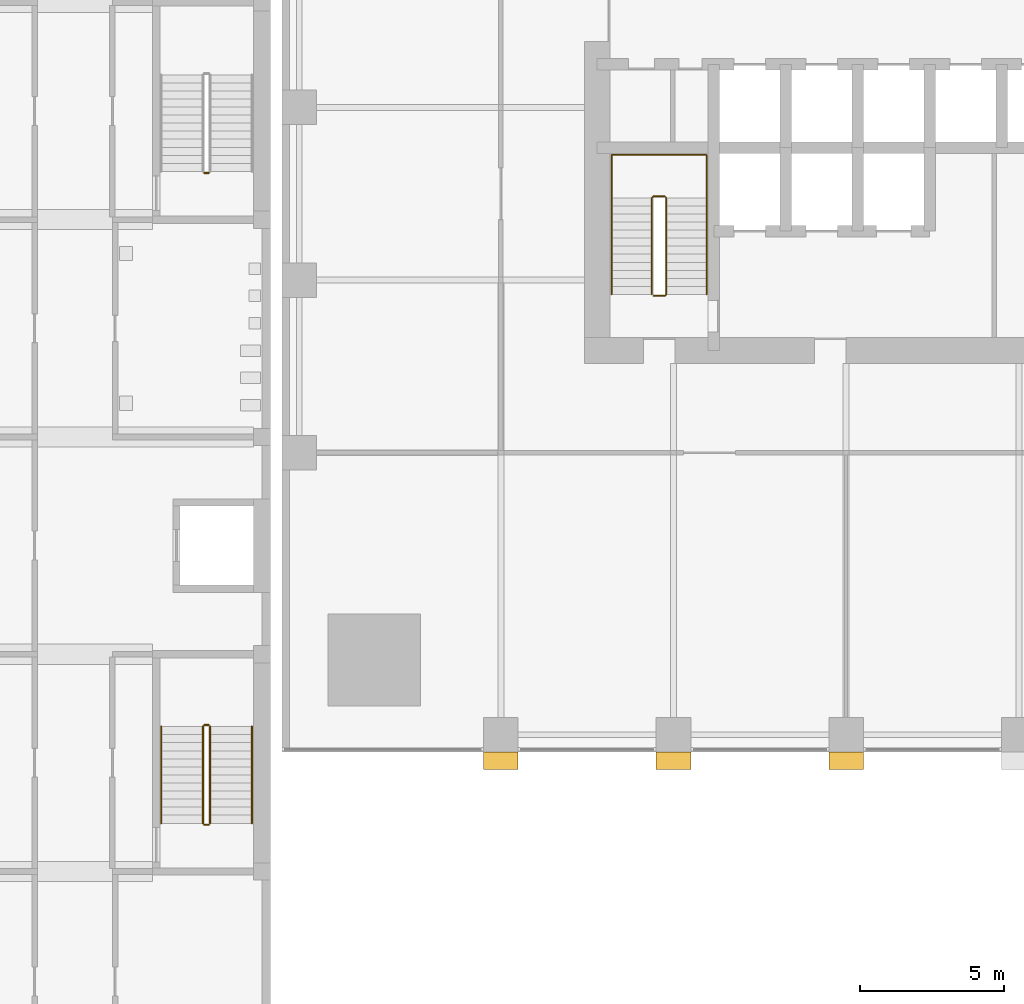
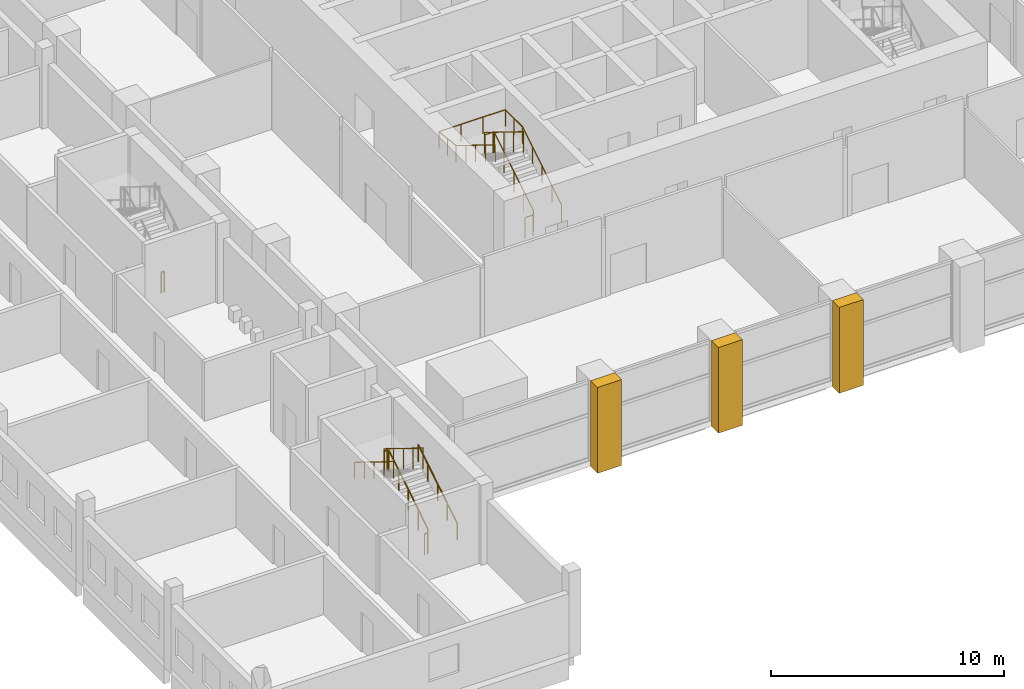
# One storey, part 20 of 25: 9 railings, 3 coverings.
"""IFC4 building model written with IfcOpenShell, lengths in metres."""

from ifc_helpers import new_model, si_unit, direction, frame, origin, origin_2d, place, context, subcontext, project, spatial, polyline, circle, outline, extrude, material, layer, layer_set, type_object, element, save


model = new_model("IFC4")

# Units and contexts
model_context = context("Model", 3, precision=1e-05, world=origin(), true_north=direction((0.0, 1.0)))
body_context = subcontext(model_context, "Body", "Model", "MODEL_VIEW")
ifc_project = project(units=[si_unit("LENGTHUNIT", "METRE"), si_unit("AREAUNIT", "SQUARE_METRE"), si_unit("VOLUMEUNIT", "CUBIC_METRE"), si_unit("PLANEANGLEUNIT", "RADIAN"), si_unit("MASSUNIT", "GRAM", prefix="KILO")], contexts=[model_context])

# Site, building, storey
site_placement = place(None, origin())
site = spatial("IfcSite", under=ifc_project, at=site_placement, CompositionType="ELEMENT")
building_placement = place(site_placement, origin())
building = spatial("IfcBuilding", under=site, at=building_placement, Name="Amberfall Residences", CompositionType="ELEMENT")
storey_placement = place(building_placement, frame((0.0, 0.0, 10.0)))
storey = spatial("IfcBuildingStorey", under=building, at=storey_placement, Name="L02", CompositionType="ELEMENT", Elevation=10.0)

# Coverings
ifc_material_1 = material(Name="Pale stone cladding on insulated backing", Category="masonry")
ifc_layer = layer(ifc_material_1, 1.199951171875)
ifc_layer_set = layer_set([ifc_layer], Name="Podium stone pier 1200 x 600")
covering_type = type_object("IfcCoveringType", Name="Podium stone pier 1200 x 600", PredefinedType="CLADDING", material=ifc_layer_set)
covering_1_placement = place(storey_placement, frame((0.0, 0.0, -0.300048828125)))
element("IfcCovering", 1, at=covering_1_placement, inside=storey, type_object=covering_type, Name="Podium pier L02 S1", PredefinedType="CLADDING", context=body_context, shape_type="SweptSolid", body=[
    extrude(outline(polyline([(59.0, 20.0), (60.199951171875, 20.0), (60.199951171875, 19.39990234375), (59.0, 19.39990234375), (59.0, 20.0)])), origin(), (0.0, 0.0, 1.0), 4.5),
])
covering_2_placement = place(storey_placement, frame((0.0, 0.0, -0.300048828125)))
element("IfcCovering", 2, at=covering_2_placement, inside=storey, type_object=covering_type, Name="Podium pier L02 S2", PredefinedType="CLADDING", context=body_context, shape_type="SweptSolid", body=[
    extrude(outline(polyline([(65.0, 20.0), (66.199951171875, 20.0), (66.199951171875, 19.39990234375), (65.0, 19.39990234375), (65.0, 20.0)])), origin(), (0.0, 0.0, 1.0), 4.5),
])
covering_3_placement = place(storey_placement, frame((0.0, 0.0, -0.300048828125)))
element("IfcCovering", 3, at=covering_3_placement, inside=storey, type_object=covering_type, Name="Podium pier L02 S3", PredefinedType="CLADDING", context=body_context, shape_type="SweptSolid", body=[
    extrude(outline(polyline([(71.0, 20.0), (72.199951171875, 20.0), (72.199951171875, 19.39990234375), (71.0, 19.39990234375), (71.0, 20.0)])), origin(), (0.0, 0.0, 1.0), 4.5),
])

# Railings
ifc_material_2 = material(Name="Stainless steel", Category="steel")
railing_type_1 = type_object("IfcRailingType", Name="School stair guard 1100", PredefinedType="GUARDRAIL", material=ifc_material_2)
railing_1_placement = place(storey_placement, frame((49.5, 17.52490234375, 0.173095703125)))
element("IfcRailing", 4, at=railing_1_placement, inside=storey, type_object=railing_type_1, Name="L02 SS1 stair guard 1", PredefinedType="GUARDRAIL", context=body_context, shape_type="SweptSolid", body=[
    extrude(circle(Radius=0.02392578125, at=origin_2d()), frame((0.0, 0.0, 1.076171875), z_axis=(0.0, 0.850623216509, 0.525775754039), x_axis=(-1.0, 0.0, 0.0)), (0.0, 0.0, 1.0), 3.9501953125),
    extrude(circle(Radius=0.02099609375, at=origin_2d()), origin(), (0.0, 0.0, 1.0), 1.052001953125),
    extrude(circle(Radius=0.02099609375, at=origin_2d()), frame((0.0, 0.840087890625, 0.519287109375)), (0.0, 0.0, 1.0), 1.052001953125),
    extrude(circle(Radius=0.02099609375, at=origin_2d()), frame((0.0, 1.68017578125, 1.03857421875)), (0.0, 0.0, 1.0), 1.052001953125),
    extrude(circle(Radius=0.02099609375, at=origin_2d()), frame((0.0, 2.52001953125, 1.5576171875)), (0.0, 0.0, 1.0), 1.052001953125),
    extrude(circle(Radius=0.02099609375, at=origin_2d()), frame((0.0, 3.360107421875, 2.076904296875)), (0.0, 0.0, 1.0), 1.052001953125),
])
railing_2_placement = place(storey_placement, frame((49.449951171875, 20.93505859375, 2.25)))
element("IfcRailing", 5, at=railing_2_placement, inside=storey, type_object=railing_type_1, Name="L02 SS1 stair guard 2", PredefinedType="GUARDRAIL", context=body_context, shape_type="SweptSolid", body=[
    extrude(circle(Radius=0.02392578125, at=origin_2d()), frame((0.0, 0.0, 1.076171875), z_axis=(-1.0, 0.0, 0.0), x_axis=(0.0, -1.0, 0.0)), (0.0, 0.0, 1.0), 0.14990234375),
    extrude(circle(Radius=0.02099609375, at=origin_2d()), origin(), (0.0, 0.0, 1.0), 1.052001953125),
    extrude(circle(Radius=0.02099609375, at=origin_2d()), frame((-0.14990234375, 0.0, 0.0)), (0.0, 0.0, 1.0), 1.052001953125),
])
railing_3_placement = place(storey_placement, frame((49.25, 20.885009765625, 2.423095703125)))
element("IfcRailing", 6, at=railing_3_placement, inside=storey, type_object=railing_type_1, Name="L02 SS1 stair guard 3", PredefinedType="GUARDRAIL", context=body_context, shape_type="SweptSolid", body=[
    extrude(circle(Radius=0.02392578125, at=origin_2d()), frame((0.0, 0.0, 1.076171875), z_axis=(0.0, -0.850623216509, 0.525775754039), x_axis=(1.0, 0.0, 0.0)), (0.0, 0.0, 1.0), 3.9501953125),
    extrude(circle(Radius=0.02099609375, at=origin_2d()), origin(), (0.0, 0.0, 1.0), 1.052001953125),
    extrude(circle(Radius=0.02099609375, at=origin_2d()), frame((0.0, -0.840087890625, 0.519287109375)), (0.0, 0.0, 1.0), 1.052001953125),
    extrude(circle(Radius=0.02099609375, at=origin_2d()), frame((0.0, -1.68017578125, 1.03857421875)), (0.0, 0.0, 1.0), 1.052001953125),
    extrude(circle(Radius=0.02099609375, at=origin_2d()), frame((0.0, -2.52001953125, 1.5576171875)), (0.0, 0.0, 1.0), 1.052001953125),
    extrude(circle(Radius=0.02099609375, at=origin_2d()), frame((0.0, -3.360107421875, 2.076904296875)), (0.0, 0.0, 1.0), 1.052001953125),
])
for number, where, name in (
    (7, (49.449951171875, 17.47509765625, 0.0), "L02 SS1 stair guard 4"),
    (8, (49.449951171875, 40.125, 0.0), "L02 SS2 stair guard 4"),
):
    element("IfcRailing", number, at=place(storey_placement, frame(where)), inside=storey, type_object=railing_type_1, Name=name, PredefinedType="GUARDRAIL", context=body_context, shape_type="SweptSolid", body=[
        extrude(circle(Radius=0.02392578125, at=origin_2d()), frame((0.0, 0.0, 1.076171875), z_axis=(-1.0, 0.0, 0.0), x_axis=(0.0, -1.0, 0.0)), (0.0, 0.0, 1.0), 0.14990234375),
        extrude(circle(Radius=0.02099609375, at=origin_2d()), origin(), (0.0, 0.0, 1.0), 1.052001953125),
        extrude(circle(Radius=0.02099609375, at=origin_2d()), frame((-0.14990234375, 0.0, 0.0)), (0.0, 0.0, 1.0), 1.052001953125),
    ])
railing_type_2 = type_object("IfcRailingType", Name="School stair handrail", PredefinedType="HANDRAIL", material=ifc_material_2)
railing_4_placement = place(storey_placement, frame((50.949951171875, 17.52490234375, 0.173095703125)))
element("IfcRailing", 9, at=railing_4_placement, inside=storey, type_object=railing_type_2, Name="L02 SS1 stair handrail 1", PredefinedType="HANDRAIL", context=body_context, shape_type="SweptSolid", body=[
    extrude(circle(Radius=0.02392578125, at=origin_2d()), frame((0.0, 0.0, 0.8759765625), z_axis=(0.0, 0.850623216509, 0.525775754039), x_axis=(-1.0, 0.0, 0.0)), (0.0, 0.0, 1.0), 3.9501953125),
    extrude(circle(Radius=0.02099609375, at=origin_2d()), origin(), (0.0, 0.0, 1.0), 0.851806640625),
    extrude(circle(Radius=0.02099609375, at=origin_2d()), frame((0.0, 0.840087890625, 0.519287109375)), (0.0, 0.0, 1.0), 0.851806640625),
    extrude(circle(Radius=0.02099609375, at=origin_2d()), frame((0.0, 1.68017578125, 1.03857421875)), (0.0, 0.0, 1.0), 0.851806640625),
    extrude(circle(Radius=0.02099609375, at=origin_2d()), frame((0.0, 2.52001953125, 1.5576171875)), (0.0, 0.0, 1.0), 0.851806640625),
    extrude(circle(Radius=0.02099609375, at=origin_2d()), frame((0.0, 3.360107421875, 2.076904296875)), (0.0, 0.0, 1.0), 0.851806640625),
])
railing_5_placement = place(storey_placement, frame((47.800048828125, 20.885009765625, 2.423095703125)))
element("IfcRailing", 10, at=railing_5_placement, inside=storey, type_object=railing_type_2, Name="L02 SS1 stair handrail 2", PredefinedType="HANDRAIL", context=body_context, shape_type="SweptSolid", body=[
    extrude(circle(Radius=0.02392578125, at=origin_2d()), frame((0.0, 0.0, 0.8759765625), z_axis=(0.0, -0.850623216509, 0.525775754039), x_axis=(1.0, 0.0, 0.0)), (0.0, 0.0, 1.0), 3.9501953125),
    extrude(circle(Radius=0.02099609375, at=origin_2d()), origin(), (0.0, 0.0, 1.0), 0.851806640625),
    extrude(circle(Radius=0.02099609375, at=origin_2d()), frame((0.0, -0.840087890625, 0.519287109375)), (0.0, 0.0, 1.0), 0.851806640625),
    extrude(circle(Radius=0.02099609375, at=origin_2d()), frame((0.0, -1.68017578125, 1.03857421875)), (0.0, 0.0, 1.0), 0.851806640625),
    extrude(circle(Radius=0.02099609375, at=origin_2d()), frame((0.0, -2.52001953125, 1.5576171875)), (0.0, 0.0, 1.0), 0.851806640625),
    extrude(circle(Radius=0.02099609375, at=origin_2d()), frame((0.0, -3.360107421875, 2.076904296875)), (0.0, 0.0, 1.0), 0.851806640625),
])
ifc_material_3 = material(Name="Stainless steel 316", Category="steel")
railing_type_3 = type_object("IfcRailingType", Name="Stair guard 1100", PredefinedType="GUARDRAIL", material=ifc_material_3)
railing_6_placement = place(storey_placement, frame((64.89990234375, 35.85009765625, 0.0)))
element("IfcRailing", 11, at=railing_6_placement, inside=storey, type_object=railing_type_3, Name="L02 stair 1 guard", PredefinedType="GUARDRAIL", context=body_context, shape_type="SweptSolid", body=[
    extrude(circle(Radius=0.02392578125, at=origin_2d()), frame((0.0, 0.0, 1.076171875), z_axis=(1.0, 0.0, 0.0), x_axis=(0.0, 1.0, 0.0)), (0.0, 0.0, 1.0), 0.400146484375),
    extrude(circle(Radius=0.02392578125, at=origin_2d()), frame((0.400146484375, 0.0, 1.076171875), z_axis=(0.267723051232, 0.266417085129, 0.925929967433), x_axis=(-0.705375805398, 0.708833529934, 0.0)), (0.0, 0.0, 1.0), 0.18701171875),
    extrude(circle(Radius=0.02392578125, at=origin_2d()), frame((0.4501953125, 0.0498046875, 1.2490234375), z_axis=(0.0, 0.850623216509, 0.525775754039), x_axis=(-1.0, 0.0, 0.0)), (0.0, 0.0, 1.0), 3.9501953125),
    extrude(circle(Radius=0.02392578125, at=origin_2d()), frame((0.4501953125, 3.409912109375, 3.326171875), z_axis=(-0.707106781187, 0.707106781187, 0.0), x_axis=(-0.707106781187, -0.707106781187, 0.0)), (0.0, 0.0, 1.0), 0.07080078125),
    extrude(circle(Radius=0.02392578125, at=origin_2d()), frame((0.400146484375, 3.4599609375, 3.326171875), z_axis=(-1.0, 0.0, 0.0), x_axis=(0.0, -1.0, 0.0)), (0.0, 0.0, 1.0), 0.400146484375),
    extrude(circle(Radius=0.02392578125, at=origin_2d()), frame((0.0, 3.4599609375, 3.326171875), z_axis=(-0.266417085129, -0.267723051232, 0.925929967433), x_axis=(0.708833529934, -0.705375805398, 0.0)), (0.0, 0.0, 1.0), 0.18701171875),
    extrude(circle(Radius=0.02392578125, at=origin_2d()), frame((-0.0498046875, 3.409912109375, 3.4990234375), z_axis=(0.0, -0.850623216509, 0.525775754039), x_axis=(1.0, 0.0, 0.0)), (0.0, 0.0, 1.0), 3.9501953125),
    extrude(circle(Radius=0.02099609375, at=origin_2d()), origin(), (0.0, 0.0, 1.0), 1.052001953125),
    extrude(circle(Radius=0.02099609375, at=origin_2d()), frame((0.400146484375, 0.0, 0.0)), (0.0, 0.0, 1.0), 1.052001953125),
    extrude(circle(Radius=0.02099609375, at=origin_2d()), frame((0.4501953125, 0.0498046875, 0.173095703125)), (0.0, 0.0, 1.0), 1.052001953125),
    extrude(circle(Radius=0.02099609375, at=origin_2d()), frame((0.4501953125, 0.889892578125, 0.6923828125)), (0.0, 0.0, 1.0), 1.052001953125),
    extrude(circle(Radius=0.02099609375, at=origin_2d()), frame((0.4501953125, 1.72998046875, 1.21142578125)), (0.0, 0.0, 1.0), 1.052001953125),
    extrude(circle(Radius=0.02099609375, at=origin_2d()), frame((0.4501953125, 2.56982421875, 1.730712890625)), (0.0, 0.0, 1.0), 1.052001953125),
    extrude(circle(Radius=0.02099609375, at=origin_2d()), frame((0.4501953125, 3.409912109375, 2.25)), (0.0, 0.0, 1.0), 1.052001953125),
    extrude(circle(Radius=0.02099609375, at=origin_2d()), frame((0.400146484375, 3.4599609375, 2.25)), (0.0, 0.0, 1.0), 1.052001953125),
    extrude(circle(Radius=0.02099609375, at=origin_2d()), frame((0.0, 3.4599609375, 2.25)), (0.0, 0.0, 1.0), 1.052001953125),
    extrude(circle(Radius=0.02099609375, at=origin_2d()), frame((-0.0498046875, 3.409912109375, 2.423095703125)), (0.0, 0.0, 1.0), 1.052001953125),
    extrude(circle(Radius=0.02099609375, at=origin_2d()), frame((-0.0498046875, 2.56982421875, 2.9423828125)), (0.0, 0.0, 1.0), 1.052001953125),
    extrude(circle(Radius=0.02099609375, at=origin_2d()), frame((-0.0498046875, 1.72998046875, 3.46142578125)), (0.0, 0.0, 1.0), 1.052001953125),
    extrude(circle(Radius=0.02099609375, at=origin_2d()), frame((-0.0498046875, 0.889892578125, 3.980712890625)), (0.0, 0.0, 1.0), 1.052001953125),
    extrude(circle(Radius=0.02099609375, at=origin_2d()), frame((-0.0498046875, 0.0498046875, 4.5)), (0.0, 0.0, 1.0), 1.052001953125),
])
railing_type_4 = type_object("IfcRailingType", Name="Stair handrail 900", PredefinedType="HANDRAIL", material=ifc_material_3)
railing_7_placement = place(storey_placement, frame((66.75, 35.89990234375, 0.173095703125)))
element("IfcRailing", 12, at=railing_7_placement, inside=storey, type_object=railing_type_4, Name="L02 stair 1 handrail", PredefinedType="HANDRAIL", context=body_context, shape_type="SweptSolid", body=[
    extrude(circle(Radius=0.02392578125, at=origin_2d()), frame((0.0, 0.0, 0.8759765625), z_axis=(0.0, 0.850623216509, 0.525775754039), x_axis=(-1.0, 0.0, 0.0)), (0.0, 0.0, 1.0), 3.9501953125),
    extrude(circle(Radius=0.02392578125, at=origin_2d()), frame((0.0, 3.360107421875, 2.95263671875), z_axis=(0.0, 1.0, 0.0), x_axis=(-1.0, 0.0, 0.0)), (0.0, 0.0, 1.0), 1.489990234375),
    extrude(circle(Radius=0.02392578125, at=origin_2d()), frame((0.0, 4.85009765625, 2.95263671875), z_axis=(-1.0, 0.0, 0.0), x_axis=(0.0, -1.0, 0.0)), (0.0, 0.0, 1.0), 3.300048828125),
    extrude(circle(Radius=0.02392578125, at=origin_2d()), frame((-3.300048828125, 4.85009765625, 2.95263671875), z_axis=(0.0, -0.993319533971, 0.115396288642), x_axis=(1.0, 0.0, 0.0)), (0.0, 0.0, 1.0), 1.5),
    extrude(circle(Radius=0.02392578125, at=origin_2d()), frame((-3.300048828125, 3.360107421875, 3.1259765625), z_axis=(0.0, -0.850623216509, 0.525775754039), x_axis=(1.0, 0.0, 0.0)), (0.0, 0.0, 1.0), 3.9501953125),
    extrude(circle(Radius=0.02099609375, at=origin_2d()), origin(), (0.0, 0.0, 1.0), 0.851806640625),
    extrude(circle(Radius=0.02099609375, at=origin_2d()), frame((0.0, 0.840087890625, 0.519287109375)), (0.0, 0.0, 1.0), 0.851806640625),
    extrude(circle(Radius=0.02099609375, at=origin_2d()), frame((0.0, 1.68017578125, 1.03857421875)), (0.0, 0.0, 1.0), 0.851806640625),
    extrude(circle(Radius=0.02099609375, at=origin_2d()), frame((0.0, 2.52001953125, 1.5576171875)), (0.0, 0.0, 1.0), 0.851806640625),
    extrude(circle(Radius=0.02099609375, at=origin_2d()), frame((0.0, 3.360107421875, 2.076904296875)), (0.0, 0.0, 1.0), 0.851806640625),
    extrude(circle(Radius=0.02099609375, at=origin_2d()), frame((0.0, 4.10498046875, 2.076904296875)), (0.0, 0.0, 1.0), 0.851806640625),
    extrude(circle(Radius=0.02099609375, at=origin_2d()), frame((0.0, 4.85009765625, 2.076904296875)), (0.0, 0.0, 1.0), 0.851806640625),
    extrude(circle(Radius=0.02099609375, at=origin_2d()), frame((-1.10009765625, 4.85009765625, 2.076904296875)), (0.0, 0.0, 1.0), 0.851806640625),
    extrude(circle(Radius=0.02099609375, at=origin_2d()), frame((-2.199951171875, 4.85009765625, 2.076904296875)), (0.0, 0.0, 1.0), 0.851806640625),
    extrude(circle(Radius=0.02099609375, at=origin_2d()), frame((-3.300048828125, 4.85009765625, 2.076904296875)), (0.0, 0.0, 1.0), 0.851806640625),
    extrude(circle(Radius=0.02099609375, at=origin_2d()), frame((-3.300048828125, 4.10498046875, 2.16357421875)), (0.0, 0.0, 1.0), 0.851806640625),
    extrude(circle(Radius=0.02099609375, at=origin_2d()), frame((-3.300048828125, 3.360107421875, 2.25)), (0.0, 0.0, 1.0), 0.851806640625),
    extrude(circle(Radius=0.02099609375, at=origin_2d()), frame((-3.300048828125, 2.52001953125, 2.769287109375)), (0.0, 0.0, 1.0), 0.851806640625),
    extrude(circle(Radius=0.02099609375, at=origin_2d()), frame((-3.300048828125, 1.68017578125, 3.28857421875)), (0.0, 0.0, 1.0), 0.851806640625),
    extrude(circle(Radius=0.02099609375, at=origin_2d()), frame((-3.300048828125, 0.840087890625, 3.8076171875)), (0.0, 0.0, 1.0), 0.851806640625),
    extrude(circle(Radius=0.02099609375, at=origin_2d()), frame((-3.300048828125, 0.0, 4.326904296875)), (0.0, 0.0, 1.0), 0.851806640625),
])

save(model, "model.ifc")
